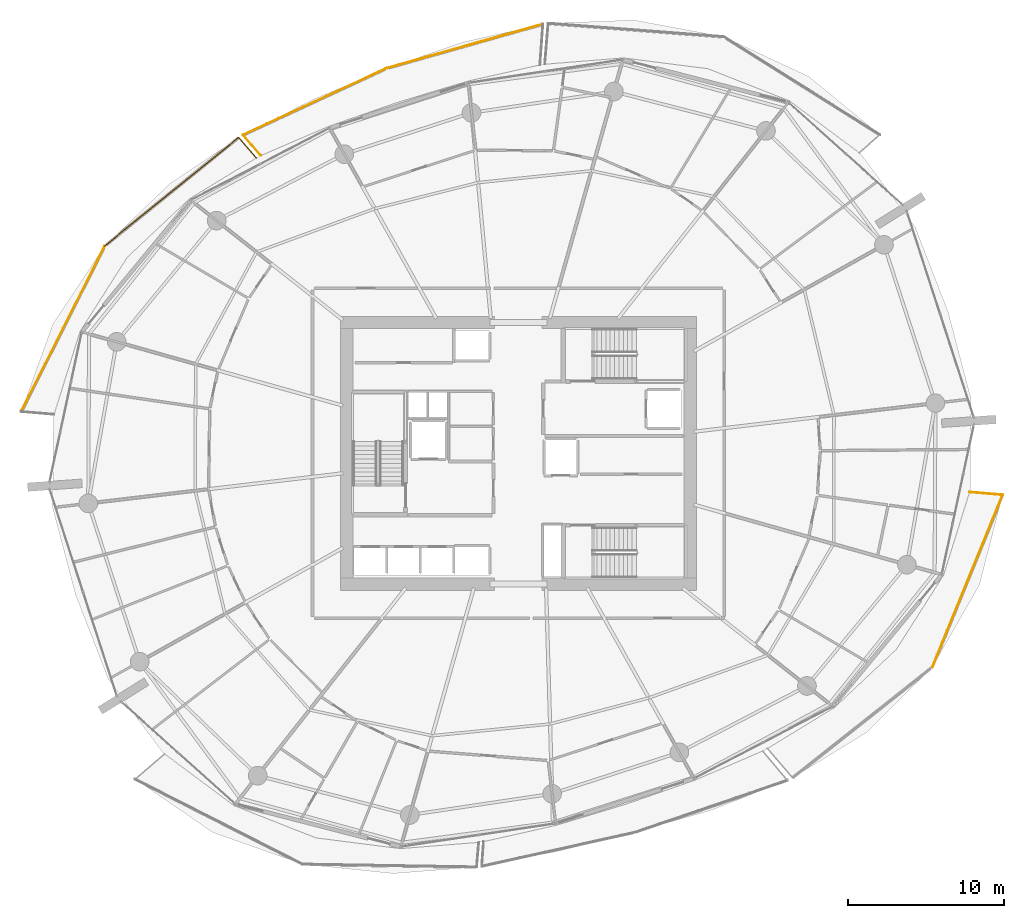
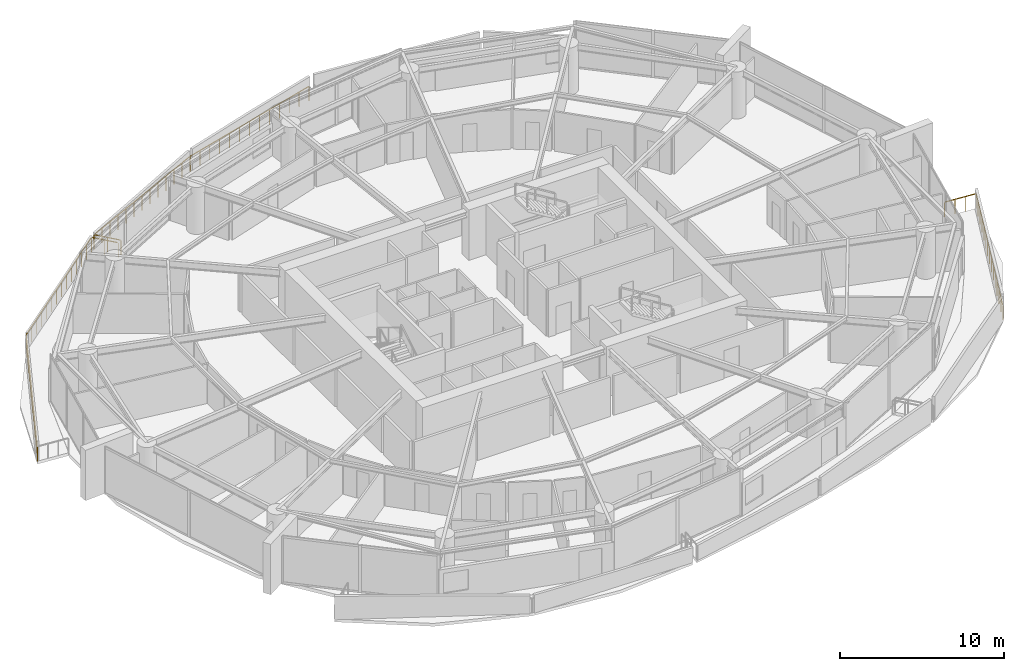
# One storey, part 20 of 22: 8 railings.
"""IFC4 building model written with IfcOpenShell, lengths in metres."""

from ifc_helpers import new_model, si_unit, direction, frame, origin, origin_2d, place, context, subcontext, project, spatial, rectangle, extrude, material, type_object, element, save


model = new_model("IFC4")

# Units and contexts
model_context = context("Model", 3, precision=1e-05, world=origin(), true_north=direction((0.0, 1.0)))
body_context = subcontext(model_context, "Body", "Model", "MODEL_VIEW")
ifc_project = project(units=[si_unit("LENGTHUNIT", "METRE"), si_unit("AREAUNIT", "SQUARE_METRE"), si_unit("VOLUMEUNIT", "CUBIC_METRE"), si_unit("PLANEANGLEUNIT", "RADIAN"), si_unit("MASSUNIT", "GRAM", prefix="KILO")], contexts=[model_context])

# Site, building, storey
site_placement = place(None, origin())
site = spatial("IfcSite", under=ifc_project, at=site_placement, CompositionType="ELEMENT")
building_placement = place(site_placement, origin())
building = spatial("IfcBuilding", under=site, at=building_placement, Name="Kazma Halo Residences", CompositionType="ELEMENT")
storey_placement = place(building_placement, frame((0.0, 0.0, 93.89990234375)))
storey = spatial("IfcBuildingStorey", under=building, at=storey_placement, Name="L23", CompositionType="ELEMENT", Elevation=93.89990234375)

# Railings
ifc_material = material(Name="Aluminium AW-6063 T6 Brushed Cap Rail", Category="aluminium")
railing_type = type_object("IfcRailingType", Name="RLG-BAL-CAP-1120", PredefinedType="BALUSTRADE", material=ifc_material)
railing_1_placement = place(storey_placement, frame((50.0, 69.56396484375, 0.0)))
element("IfcRailing", 1, at=railing_1_placement, inside=storey, type_object=railing_type, Name="L23 NNW wave balcony guard 2", PredefinedType="BALUSTRADE", context=body_context, shape_type="SweptSolid", body=[
    extrude(rectangle(XDim=0.050048828125, YDim=0.050048828125, at=origin_2d()), frame((-0.041015625, -0.011474609375, 1.09521484375), z_axis=(-0.962328182125, -0.271890547625, 0.0), x_axis=(0.271890547625, -0.962328182125, 0.0)), (0.0, 0.0, 1.0), 10.3427734375),
    extrude(rectangle(XDim=0.0400390625, YDim=0.0400390625, at=origin_2d()), origin(), (0.0, 0.0, 1.0), 1.05810546875),
    extrude(rectangle(XDim=0.0400390625, YDim=0.0400390625, at=origin_2d()), frame((-0.836181640625, -0.236328125, 0.0)), (0.0, 0.0, 1.0), 1.05810546875),
    extrude(rectangle(XDim=0.0400390625, YDim=0.0400390625, at=origin_2d()), frame((-1.67236328125, -0.47265625, 0.0)), (0.0, 0.0, 1.0), 1.05810546875),
    extrude(rectangle(XDim=0.0400390625, YDim=0.0400390625, at=origin_2d()), frame((-2.5087890625, -0.708740234375, 0.0)), (0.0, 0.0, 1.0), 1.05810546875),
    extrude(rectangle(XDim=0.0400390625, YDim=0.0400390625, at=origin_2d()), frame((-3.344970703125, -0.945068359375, 0.0)), (0.0, 0.0, 1.0), 1.05810546875),
    extrude(rectangle(XDim=0.0400390625, YDim=0.0400390625, at=origin_2d()), frame((-4.18115234375, -1.181396484375, 0.0)), (0.0, 0.0, 1.0), 1.05810546875),
    extrude(rectangle(XDim=0.0400390625, YDim=0.0400390625, at=origin_2d()), frame((-5.017578125, -1.41748046875, 0.0)), (0.0, 0.0, 1.0), 1.05810546875),
    extrude(rectangle(XDim=0.0400390625, YDim=0.0400390625, at=origin_2d()), frame((-5.853759765625, -1.65380859375, 0.0)), (0.0, 0.0, 1.0), 1.05810546875),
    extrude(rectangle(XDim=0.0400390625, YDim=0.0400390625, at=origin_2d()), frame((-6.68994140625, -1.89013671875, 0.0)), (0.0, 0.0, 1.0), 1.05810546875),
    extrude(rectangle(XDim=0.0400390625, YDim=0.0400390625, at=origin_2d()), frame((-7.526123046875, -2.12646484375, 0.0)), (0.0, 0.0, 1.0), 1.05810546875),
    extrude(rectangle(XDim=0.0400390625, YDim=0.0400390625, at=origin_2d()), frame((-8.3623046875, -2.36279296875, 0.0)), (0.0, 0.0, 1.0), 1.05810546875),
    extrude(rectangle(XDim=0.0400390625, YDim=0.0400390625, at=origin_2d()), frame((-9.19873046875, -2.598876953125, 0.0)), (0.0, 0.0, 1.0), 1.05810546875),
    extrude(rectangle(XDim=0.0400390625, YDim=0.0400390625, at=origin_2d()), frame((-10.034912109375, -2.835205078125, 0.0)), (0.0, 0.0, 1.0), 1.05810546875),
])
railing_2_placement = place(storey_placement, frame((39.965087890625, 66.728759765625, 0.0)))
element("IfcRailing", 2, at=railing_2_placement, inside=storey, type_object=railing_type, Name="L23 NNW wave balcony guard 3", PredefinedType="BALUSTRADE", context=body_context, shape_type="SweptSolid", body=[
    extrude(rectangle(XDim=0.050048828125, YDim=0.050048828125, at=origin_2d()), frame((-0.03857421875, -0.017822265625, 1.09521484375), z_axis=(-0.907061401256, -0.420998354334, 0.0), x_axis=(0.420998354334, -0.907061401256, 0.0)), (0.0, 0.0, 1.0), 10.076171875),
    extrude(rectangle(XDim=0.0400390625, YDim=0.0400390625, at=origin_2d()), origin(), (0.0, 0.0, 1.0), 1.05810546875),
    extrude(rectangle(XDim=0.0400390625, YDim=0.0400390625, at=origin_2d()), frame((-0.76806640625, -0.3564453125, 0.0)), (0.0, 0.0, 1.0), 1.05810546875),
    extrude(rectangle(XDim=0.0400390625, YDim=0.0400390625, at=origin_2d()), frame((-1.5361328125, -0.712890625, 0.0)), (0.0, 0.0, 1.0), 1.05810546875),
    extrude(rectangle(XDim=0.0400390625, YDim=0.0400390625, at=origin_2d()), frame((-2.30419921875, -1.0693359375, 0.0)), (0.0, 0.0, 1.0), 1.05810546875),
    extrude(rectangle(XDim=0.0400390625, YDim=0.0400390625, at=origin_2d()), frame((-3.072265625, -1.426025390625, 0.0)), (0.0, 0.0, 1.0), 1.05810546875),
    extrude(rectangle(XDim=0.0400390625, YDim=0.0400390625, at=origin_2d()), frame((-3.84033203125, -1.782470703125, 0.0)), (0.0, 0.0, 1.0), 1.05810546875),
    extrude(rectangle(XDim=0.0400390625, YDim=0.0400390625, at=origin_2d()), frame((-4.6083984375, -2.138916015625, 0.0)), (0.0, 0.0, 1.0), 1.05810546875),
    extrude(rectangle(XDim=0.0400390625, YDim=0.0400390625, at=origin_2d()), frame((-5.37646484375, -2.495361328125, 0.0)), (0.0, 0.0, 1.0), 1.05810546875),
    extrude(rectangle(XDim=0.0400390625, YDim=0.0400390625, at=origin_2d()), frame((-6.14453125, -2.851806640625, 0.0)), (0.0, 0.0, 1.0), 1.05810546875),
    extrude(rectangle(XDim=0.0400390625, YDim=0.0400390625, at=origin_2d()), frame((-6.91259765625, -3.20849609375, 0.0)), (0.0, 0.0, 1.0), 1.05810546875),
    extrude(rectangle(XDim=0.0400390625, YDim=0.0400390625, at=origin_2d()), frame((-7.6806640625, -3.56494140625, 0.0)), (0.0, 0.0, 1.0), 1.05810546875),
    extrude(rectangle(XDim=0.0400390625, YDim=0.0400390625, at=origin_2d()), frame((-8.44873046875, -3.92138671875, 0.0)), (0.0, 0.0, 1.0), 1.05810546875),
    extrude(rectangle(XDim=0.0400390625, YDim=0.0400390625, at=origin_2d()), frame((-9.216796875, -4.27783203125, 0.0)), (0.0, 0.0, 1.0), 1.05810546875),
])
railing_3_placement = place(storey_placement, frame((30.748291015625, 62.450927734375, 0.0)))
element("IfcRailing", 3, at=railing_3_placement, inside=storey, type_object=railing_type, Name="L23 NNW wave balcony guard 4", PredefinedType="BALUSTRADE", context=body_context, shape_type="SweptSolid", body=[
    extrude(rectangle(XDim=0.050048828125, YDim=0.050048828125, at=origin_2d()), frame((0.02734375, -0.032470703125, 1.09521484375), z_axis=(0.644730393158, -0.76441004712, 0.0), x_axis=(0.76441004712, 0.644730393158, 0.0)), (0.0, 0.0, 1.0), 1.6591796875),
    extrude(rectangle(XDim=0.0400390625, YDim=0.0400390625, at=origin_2d()), origin(), (0.0, 0.0, 1.0), 1.05810546875),
    extrude(rectangle(XDim=0.0400390625, YDim=0.0400390625, at=origin_2d()), frame((0.562255859375, -0.66650390625, 0.0)), (0.0, 0.0, 1.0), 1.05810546875),
    extrude(rectangle(XDim=0.0400390625, YDim=0.0400390625, at=origin_2d()), frame((1.12451171875, -1.333251953125, 0.0)), (0.0, 0.0, 1.0), 1.05810546875),
])
railing_4_placement = place(storey_placement, frame((31.59423828125, 60.972900390625, 0.0)))
element("IfcRailing", 4, at=railing_4_placement, inside=storey, type_object=railing_type, Name="L23 NW wave balcony guard 1", PredefinedType="BALUSTRADE", context=body_context, shape_type="SweptSolid", body=[
    extrude(rectangle(XDim=0.050048828125, YDim=0.050048828125, at=origin_2d()), frame((-0.02783203125, 0.0322265625, 1.09521484375), z_axis=(-0.654191086692, 0.756329307969, 0.0), x_axis=(-0.756329307969, -0.654191086692, 0.0)), (0.0, 0.0, 1.0), 1.650390625),
    extrude(rectangle(XDim=0.0400390625, YDim=0.0400390625, at=origin_2d()), origin(), (0.0, 0.0, 1.0), 1.05810546875),
    extrude(rectangle(XDim=0.0400390625, YDim=0.0400390625, at=origin_2d()), frame((-0.567626953125, 0.65625, 0.0)), (0.0, 0.0, 1.0), 1.05810546875),
    extrude(rectangle(XDim=0.0400390625, YDim=0.0400390625, at=origin_2d()), frame((-1.13525390625, 1.3125, 0.0)), (0.0, 0.0, 1.0), 1.05810546875),
])
railing_5_placement = place(storey_placement, frame((30.458984375, 62.285400390625, 0.0)))
element("IfcRailing", 5, at=railing_5_placement, inside=storey, type_object=railing_type, Name="L23 NW wave balcony guard 2", PredefinedType="BALUSTRADE", context=body_context, shape_type="SweptSolid", body=[
    extrude(rectangle(XDim=0.050048828125, YDim=0.050048828125, at=origin_2d()), frame((-0.032958984375, -0.02685546875, 1.09521484375), z_axis=(-0.777253602641, -0.629187442009, 0.0), x_axis=(0.629187442009, -0.777253602641, 0.0)), (0.0, 0.0, 1.0), 10.983642578125),
    extrude(rectangle(XDim=0.0400390625, YDim=0.0400390625, at=origin_2d()), origin(), (0.0, 0.0, 1.0), 1.05810546875),
    extrude(rectangle(XDim=0.0400390625, YDim=0.0400390625, at=origin_2d()), frame((-0.661865234375, -0.53564453125, 0.0)), (0.0, 0.0, 1.0), 1.05810546875),
    extrude(rectangle(XDim=0.0400390625, YDim=0.0400390625, at=origin_2d()), frame((-1.323486328125, -1.071533203125, 0.0)), (0.0, 0.0, 1.0), 1.05810546875),
    extrude(rectangle(XDim=0.0400390625, YDim=0.0400390625, at=origin_2d()), frame((-1.9853515625, -1.607177734375, 0.0)), (0.0, 0.0, 1.0), 1.05810546875),
    extrude(rectangle(XDim=0.0400390625, YDim=0.0400390625, at=origin_2d()), frame((-2.647216796875, -2.142822265625, 0.0)), (0.0, 0.0, 1.0), 1.05810546875),
    extrude(rectangle(XDim=0.0400390625, YDim=0.0400390625, at=origin_2d()), frame((-3.308837890625, -2.6787109375, 0.0)), (0.0, 0.0, 1.0), 1.05810546875),
    extrude(rectangle(XDim=0.0400390625, YDim=0.0400390625, at=origin_2d()), frame((-3.970703125, -3.21435546875, 0.0)), (0.0, 0.0, 1.0), 1.05810546875),
    extrude(rectangle(XDim=0.0400390625, YDim=0.0400390625, at=origin_2d()), frame((-4.632568359375, -3.75, 0.0)), (0.0, 0.0, 1.0), 1.05810546875),
    extrude(rectangle(XDim=0.0400390625, YDim=0.0400390625, at=origin_2d()), frame((-5.29443359375, -4.28564453125, 0.0)), (0.0, 0.0, 1.0), 1.05810546875),
    extrude(rectangle(XDim=0.0400390625, YDim=0.0400390625, at=origin_2d()), frame((-5.9560546875, -4.821533203125, 0.0)), (0.0, 0.0, 1.0), 1.05810546875),
    extrude(rectangle(XDim=0.0400390625, YDim=0.0400390625, at=origin_2d()), frame((-6.617919921875, -5.357177734375, 0.0)), (0.0, 0.0, 1.0), 1.05810546875),
    extrude(rectangle(XDim=0.0400390625, YDim=0.0400390625, at=origin_2d()), frame((-7.27978515625, -5.892822265625, 0.0)), (0.0, 0.0, 1.0), 1.05810546875),
    extrude(rectangle(XDim=0.0400390625, YDim=0.0400390625, at=origin_2d()), frame((-7.94140625, -6.4287109375, 0.0)), (0.0, 0.0, 1.0), 1.05810546875),
    extrude(rectangle(XDim=0.0400390625, YDim=0.0400390625, at=origin_2d()), frame((-8.603271484375, -6.96435546875, 0.0)), (0.0, 0.0, 1.0), 1.05810546875),
])
railing_6_placement = place(storey_placement, frame((21.855712890625, 55.321044921875, 0.0)))
element("IfcRailing", 6, at=railing_6_placement, inside=storey, type_object=railing_type, Name="L23 NW wave balcony guard 3", PredefinedType="BALUSTRADE", context=body_context, shape_type="SweptSolid", body=[
    extrude(rectangle(XDim=0.050048828125, YDim=0.050048828125, at=origin_2d()), frame((-0.01904296875, -0.0380859375, 1.09521484375), z_axis=(-0.450012590913, -0.893022210261, 0.0), x_axis=(0.893022210261, -0.450012590913, 0.0)), (0.0, 0.0, 1.0), 11.837890625),
    extrude(rectangle(XDim=0.0400390625, YDim=0.0400390625, at=origin_2d()), origin(), (0.0, 0.0, 1.0), 1.05810546875),
    extrude(rectangle(XDim=0.0400390625, YDim=0.0400390625, at=origin_2d()), frame((-0.38330078125, -0.760498046875, 0.0)), (0.0, 0.0, 1.0), 1.05810546875),
    extrude(rectangle(XDim=0.0400390625, YDim=0.0400390625, at=origin_2d()), frame((-0.7666015625, -1.52099609375, 0.0)), (0.0, 0.0, 1.0), 1.05810546875),
    extrude(rectangle(XDim=0.0400390625, YDim=0.0400390625, at=origin_2d()), frame((-1.149658203125, -2.281494140625, 0.0)), (0.0, 0.0, 1.0), 1.05810546875),
    extrude(rectangle(XDim=0.0400390625, YDim=0.0400390625, at=origin_2d()), frame((-1.532958984375, -3.042236328125, 0.0)), (0.0, 0.0, 1.0), 1.05810546875),
    extrude(rectangle(XDim=0.0400390625, YDim=0.0400390625, at=origin_2d()), frame((-1.916259765625, -3.802734375, 0.0)), (0.0, 0.0, 1.0), 1.05810546875),
    extrude(rectangle(XDim=0.0400390625, YDim=0.0400390625, at=origin_2d()), frame((-2.299560546875, -4.563232421875, 0.0)), (0.0, 0.0, 1.0), 1.05810546875),
    extrude(rectangle(XDim=0.0400390625, YDim=0.0400390625, at=origin_2d()), frame((-2.6826171875, -5.32373046875, 0.0)), (0.0, 0.0, 1.0), 1.05810546875),
    extrude(rectangle(XDim=0.0400390625, YDim=0.0400390625, at=origin_2d()), frame((-3.06591796875, -6.084228515625, 0.0)), (0.0, 0.0, 1.0), 1.05810546875),
    extrude(rectangle(XDim=0.0400390625, YDim=0.0400390625, at=origin_2d()), frame((-3.44921875, -6.8447265625, 0.0)), (0.0, 0.0, 1.0), 1.05810546875),
    extrude(rectangle(XDim=0.0400390625, YDim=0.0400390625, at=origin_2d()), frame((-3.83251953125, -7.605224609375, 0.0)), (0.0, 0.0, 1.0), 1.05810546875),
    extrude(rectangle(XDim=0.0400390625, YDim=0.0400390625, at=origin_2d()), frame((-4.2158203125, -8.365966796875, 0.0)), (0.0, 0.0, 1.0), 1.05810546875),
    extrude(rectangle(XDim=0.0400390625, YDim=0.0400390625, at=origin_2d()), frame((-4.598876953125, -9.12646484375, 0.0)), (0.0, 0.0, 1.0), 1.05810546875),
    extrude(rectangle(XDim=0.0400390625, YDim=0.0400390625, at=origin_2d()), frame((-4.982177734375, -9.886962890625, 0.0)), (0.0, 0.0, 1.0), 1.05810546875),
    extrude(rectangle(XDim=0.0400390625, YDim=0.0400390625, at=origin_2d()), frame((-5.365478515625, -10.6474609375, 0.0)), (0.0, 0.0, 1.0), 1.05810546875),
])
railing_7_placement = place(storey_placement, frame((75.000244140625, 28.24267578125, 0.0)))
element("IfcRailing", 7, at=railing_7_placement, inside=storey, type_object=railing_type, Name="L23 SE wave balcony guard 3", PredefinedType="BALUSTRADE", context=body_context, shape_type="SweptSolid", body=[
    extrude(rectangle(XDim=0.050048828125, YDim=0.050048828125, at=origin_2d()), frame((0.01611328125, 0.039306640625, 1.09521484375), z_axis=(0.37827548342, 0.925693069351, 0.0), x_axis=(-0.925693069351, 0.37827548342, 0.0)), (0.0, 0.0, 1.0), 11.886474609375),
    extrude(rectangle(XDim=0.0400390625, YDim=0.0400390625, at=origin_2d()), origin(), (0.0, 0.0, 1.0), 1.05810546875),
    extrude(rectangle(XDim=0.0400390625, YDim=0.0400390625, at=origin_2d()), frame((0.323486328125, 0.79150390625, 0.0)), (0.0, 0.0, 1.0), 1.05810546875),
    extrude(rectangle(XDim=0.0400390625, YDim=0.0400390625, at=origin_2d()), frame((0.64697265625, 1.583251953125, 0.0)), (0.0, 0.0, 1.0), 1.05810546875),
    extrude(rectangle(XDim=0.0400390625, YDim=0.0400390625, at=origin_2d()), frame((0.970458984375, 2.374755859375, 0.0)), (0.0, 0.0, 1.0), 1.05810546875),
    extrude(rectangle(XDim=0.0400390625, YDim=0.0400390625, at=origin_2d()), frame((1.2939453125, 3.166259765625, 0.0)), (0.0, 0.0, 1.0), 1.05810546875),
    extrude(rectangle(XDim=0.0400390625, YDim=0.0400390625, at=origin_2d()), frame((1.617431640625, 3.957763671875, 0.0)), (0.0, 0.0, 1.0), 1.05810546875),
    extrude(rectangle(XDim=0.0400390625, YDim=0.0400390625, at=origin_2d()), frame((1.94091796875, 4.74951171875, 0.0)), (0.0, 0.0, 1.0), 1.05810546875),
    extrude(rectangle(XDim=0.0400390625, YDim=0.0400390625, at=origin_2d()), frame((2.26416015625, 5.541015625, 0.0)), (0.0, 0.0, 1.0), 1.05810546875),
    extrude(rectangle(XDim=0.0400390625, YDim=0.0400390625, at=origin_2d()), frame((2.587646484375, 6.33251953125, 0.0)), (0.0, 0.0, 1.0), 1.05810546875),
    extrude(rectangle(XDim=0.0400390625, YDim=0.0400390625, at=origin_2d()), frame((2.9111328125, 7.124267578125, 0.0)), (0.0, 0.0, 1.0), 1.05810546875),
    extrude(rectangle(XDim=0.0400390625, YDim=0.0400390625, at=origin_2d()), frame((3.234619140625, 7.915771484375, 0.0)), (0.0, 0.0, 1.0), 1.05810546875),
    extrude(rectangle(XDim=0.0400390625, YDim=0.0400390625, at=origin_2d()), frame((3.55810546875, 8.707275390625, 0.0)), (0.0, 0.0, 1.0), 1.05810546875),
    extrude(rectangle(XDim=0.0400390625, YDim=0.0400390625, at=origin_2d()), frame((3.881591796875, 9.498779296875, 0.0)), (0.0, 0.0, 1.0), 1.05810546875),
    extrude(rectangle(XDim=0.0400390625, YDim=0.0400390625, at=origin_2d()), frame((4.205078125, 10.29052734375, 0.0)), (0.0, 0.0, 1.0), 1.05810546875),
    extrude(rectangle(XDim=0.0400390625, YDim=0.0400390625, at=origin_2d()), frame((4.528564453125, 11.08203125, 0.0)), (0.0, 0.0, 1.0), 1.05810546875),
])
railing_8_placement = place(storey_placement, frame((79.52880859375, 39.32470703125, 0.0)))
element("IfcRailing", 8, at=railing_8_placement, inside=storey, type_object=railing_type, Name="L23 SE wave balcony guard 4", PredefinedType="BALUSTRADE", context=body_context, shape_type="SweptSolid", body=[
    extrude(rectangle(XDim=0.050048828125, YDim=0.050048828125, at=origin_2d()), frame((-0.04248046875, 0.003662109375, 1.09521484375), z_axis=(-0.99641488655, 0.084601263952, 0.0), x_axis=(-0.084601263952, -0.99641488655, 0.0)), (0.0, 0.0, 1.0), 2.044677734375),
    extrude(rectangle(XDim=0.0400390625, YDim=0.0400390625, at=origin_2d()), origin(), (0.0, 0.0, 1.0), 1.05810546875),
    extrude(rectangle(XDim=0.0400390625, YDim=0.0400390625, at=origin_2d()), frame((-0.707275390625, 0.06005859375, 0.0)), (0.0, 0.0, 1.0), 1.05810546875),
    extrude(rectangle(XDim=0.0400390625, YDim=0.0400390625, at=origin_2d()), frame((-1.414794921875, 0.1201171875, 0.0)), (0.0, 0.0, 1.0), 1.05810546875),
    extrude(rectangle(XDim=0.0400390625, YDim=0.0400390625, at=origin_2d()), frame((-2.1220703125, 0.18017578125, 0.0)), (0.0, 0.0, 1.0), 1.05810546875),
])

save(model, "model.ifc")
